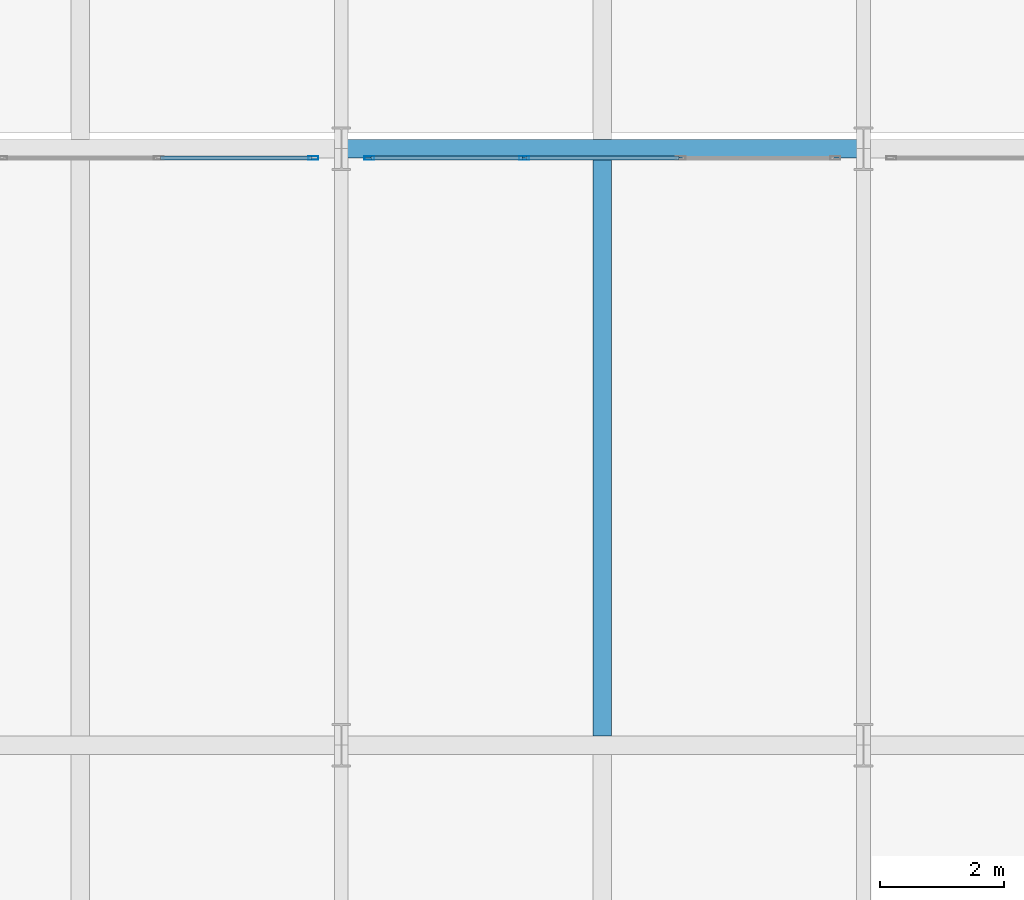
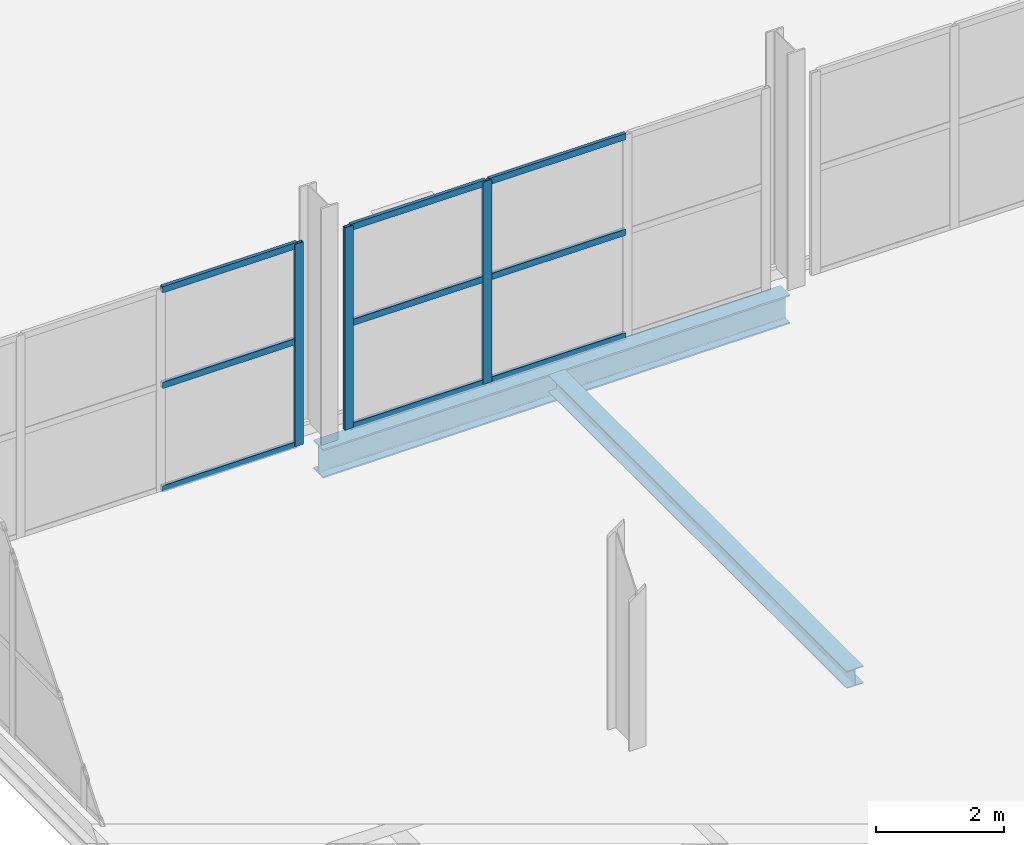
# One storey, part 55 of 113: 12 members, 2 beams, 2 elements without a shape of their own.
"""IFC4 building model written with IfcOpenShell, lengths in metres."""

from ifc_helpers import new_model, si_unit, direction, frame, origin, origin_2d, place, context, subcontext, project, spatial, hollow_rectangle, i_section, extrude, material, material_profile, profile_set, type_object, element, aggregate, save


model = new_model("IFC4")

# Units and contexts
model_context = context("Model", 3, precision=1e-05, world=origin(), true_north=direction((0.0, 1.0)))
body_context = subcontext(model_context, "Body", "Model", "MODEL_VIEW")
ifc_project = project(units=[si_unit("LENGTHUNIT", "METRE"), si_unit("AREAUNIT", "SQUARE_METRE"), si_unit("VOLUMEUNIT", "CUBIC_METRE"), si_unit("PLANEANGLEUNIT", "RADIAN"), si_unit("MASSUNIT", "GRAM", prefix="KILO")], contexts=[model_context])

# Site, building, storey
site_placement = place(None, origin())
site = spatial("IfcSite", under=ifc_project, at=site_placement, CompositionType="ELEMENT")
building_placement = place(site_placement, origin())
building = spatial("IfcBuilding", under=site, at=building_placement, Name="Veltarok Museum of Natural Sciences", CompositionType="ELEMENT")
storey_placement = place(building_placement, frame((0.0, 0.0, 8.39990234375)))
storey = spatial("IfcBuildingStorey", under=building, at=storey_placement, Name="L01", CompositionType="ELEMENT", Elevation=8.39990234375)

# Curtain wall, members
ifc_material_1 = material(Name="Low-iron triple insulated glass", Category="glass")
curtain_wall_type_1 = type_object("IfcCurtainWallType", Name="Curtain Wall System CW-V2NP-L01-7-756x385 (North Pavilion L01 7-8 756x385cm)", PredefinedType="NOTDEFINED", material=ifc_material_1)
curtain_wall_1_placement = place(storey_placement, origin())
curtain_wall_1 = element("IfcCurtainWall", 1, at=curtain_wall_1_placement, inside=storey, type_object=curtain_wall_type_1, Name="Curtain Wall CW-V2NP-L01-7-756x385 CW-0069", PredefinedType="NOTDEFINED")
ifc_material_2 = material(Name="Thermally broken anodised aluminium", Category="aluminium")
ifc_material_profile_1 = material_profile(ifc_material_2, hollow_rectangle(XDim=0.06005859375, YDim=0.1201171875, WallThickness=0.0048828125, at=origin_2d()), Name="CW TRANSOM 60x120x5")
ifc_profile_set_1 = profile_set([ifc_material_profile_1], Name="Thermally broken anodised aluminium")
member_type_1 = type_object("IfcMemberType", Name="Curtain Wall Horizontal Transom 60x120x5", PredefinedType="USERDEFINED", material=ifc_profile_set_1)
member_1_placement = place(storey_placement, frame((64.719970703125, 91.050048828125, 0.030029296875), z_axis=(-1.0, 0.0, 0.0), x_axis=(0.0, -1.0, 0.0)))
member_1 = element("IfcMember", 2, at=member_1_placement, type_object=member_type_1, Name="CW-V2NP-L01-7-756x385 transom 1.1", ObjectType="TRANSOM", PredefinedType="USERDEFINED", context=body_context, shape_type="SweptSolid", body=[
    extrude(hollow_rectangle(XDim=0.06005859375, YDim=0.1201171875, WallThickness=0.0048828125, at=origin_2d()), origin(), (0.0, 0.0, 1.0), 2.429931640625),
])
member_2_placement = place(storey_placement, frame((64.719970703125, 91.050048828125, 2.0), z_axis=(-1.0, 0.0, 0.0), x_axis=(0.0, -1.0, 0.0)))
member_2 = element("IfcMember", 3, at=member_2_placement, type_object=member_type_1, Name="CW-V2NP-L01-7-756x385 transom 1.2", ObjectType="TRANSOM", PredefinedType="USERDEFINED", context=body_context, shape_type="SweptSolid", body=[
    extrude(hollow_rectangle(XDim=0.06005859375, YDim=0.1201171875, WallThickness=0.0048828125, at=origin_2d()), origin(), (0.0, 0.0, 1.0), 2.429931640625),
])
member_3_placement = place(storey_placement, frame((64.719970703125, 91.050048828125, 3.820068359375), z_axis=(-1.0, 0.0, 0.0), x_axis=(0.0, -1.0, 0.0)))
member_3 = element("IfcMember", 4, at=member_3_placement, type_object=member_type_1, Name="CW-V2NP-L01-7-756x385 transom 1.3", ObjectType="TRANSOM", PredefinedType="USERDEFINED", context=body_context, shape_type="SweptSolid", body=[
    extrude(hollow_rectangle(XDim=0.06005859375, YDim=0.1201171875, WallThickness=0.0048828125, at=origin_2d()), origin(), (0.0, 0.0, 1.0), 2.429931640625),
])

curtain_wall_type_2 = type_object("IfcCurtainWallType", Name="Curtain Wall System CW-V2NP-L01-8-756x385 (North Pavilion L01 8-9 756x385cm)", PredefinedType="NOTDEFINED", material=ifc_material_1)
curtain_wall_2_placement = place(storey_placement, origin())
curtain_wall_2 = element("IfcCurtainWall", 5, at=curtain_wall_2_placement, inside=storey, type_object=curtain_wall_type_2, Name="Curtain Wall CW-V2NP-L01-8-756x385 CW-0070", PredefinedType="NOTDEFINED")
member_4_placement = place(storey_placement, frame((70.6298828125, 91.050048828125, 0.030029296875), z_axis=(-1.0, 0.0, 0.0), x_axis=(0.0, -1.0, 0.0)))
member_4 = element("IfcMember", 6, at=member_4_placement, type_object=member_type_1, Name="CW-V2NP-L01-8-756x385 transom 2.1", ObjectType="TRANSOM", PredefinedType="USERDEFINED", context=body_context, shape_type="SweptSolid", body=[
    extrude(hollow_rectangle(XDim=0.06005859375, YDim=0.1201171875, WallThickness=0.0048828125, at=origin_2d()), origin(), (0.0, 0.0, 1.0), 2.4599609375),
])
member_5_placement = place(storey_placement, frame((70.6298828125, 91.050048828125, 2.0), z_axis=(-1.0, 0.0, 0.0), x_axis=(0.0, -1.0, 0.0)))
member_5 = element("IfcMember", 7, at=member_5_placement, type_object=member_type_1, Name="CW-V2NP-L01-8-756x385 transom 2.2", ObjectType="TRANSOM", PredefinedType="USERDEFINED", context=body_context, shape_type="SweptSolid", body=[
    extrude(hollow_rectangle(XDim=0.06005859375, YDim=0.1201171875, WallThickness=0.0048828125, at=origin_2d()), origin(), (0.0, 0.0, 1.0), 2.4599609375),
])
member_6_placement = place(storey_placement, frame((70.6298828125, 91.050048828125, 3.820068359375), z_axis=(-1.0, 0.0, 0.0), x_axis=(0.0, -1.0, 0.0)))
member_6 = element("IfcMember", 8, at=member_6_placement, type_object=member_type_1, Name="CW-V2NP-L01-8-756x385 transom 2.3", ObjectType="TRANSOM", PredefinedType="USERDEFINED", context=body_context, shape_type="SweptSolid", body=[
    extrude(hollow_rectangle(XDim=0.06005859375, YDim=0.1201171875, WallThickness=0.0048828125, at=origin_2d()), origin(), (0.0, 0.0, 1.0), 2.4599609375),
])
member_7_placement = place(storey_placement, frame((68.110107421875, 91.050048828125, 0.030029296875), z_axis=(-1.0, 0.0, 0.0), x_axis=(0.0, -1.0, 0.0)))
member_7 = element("IfcMember", 9, at=member_7_placement, type_object=member_type_1, Name="CW-V2NP-L01-8-756x385 transom 3.1", ObjectType="TRANSOM", PredefinedType="USERDEFINED", context=body_context, shape_type="SweptSolid", body=[
    extrude(hollow_rectangle(XDim=0.06005859375, YDim=0.1201171875, WallThickness=0.0048828125, at=origin_2d()), origin(), (0.0, 0.0, 1.0), 2.43017578125),
])
member_8_placement = place(storey_placement, frame((68.110107421875, 91.050048828125, 2.0), z_axis=(-1.0, 0.0, 0.0), x_axis=(0.0, -1.0, 0.0)))
member_8 = element("IfcMember", 10, at=member_8_placement, type_object=member_type_1, Name="CW-V2NP-L01-8-756x385 transom 3.2", ObjectType="TRANSOM", PredefinedType="USERDEFINED", context=body_context, shape_type="SweptSolid", body=[
    extrude(hollow_rectangle(XDim=0.06005859375, YDim=0.1201171875, WallThickness=0.0048828125, at=origin_2d()), origin(), (0.0, 0.0, 1.0), 2.43017578125),
])
member_9_placement = place(storey_placement, frame((68.110107421875, 91.050048828125, 3.820068359375), z_axis=(-1.0, 0.0, 0.0), x_axis=(0.0, -1.0, 0.0)))
member_9 = element("IfcMember", 11, at=member_9_placement, type_object=member_type_1, Name="CW-V2NP-L01-8-756x385 transom 3.3", ObjectType="TRANSOM", PredefinedType="USERDEFINED", context=body_context, shape_type="SweptSolid", body=[
    extrude(hollow_rectangle(XDim=0.06005859375, YDim=0.1201171875, WallThickness=0.0048828125, at=origin_2d()), origin(), (0.0, 0.0, 1.0), 2.43017578125),
])

# Member
ifc_material_profile_2 = material_profile(ifc_material_2, hollow_rectangle(XDim=0.06005859375, YDim=0.159912109375, WallThickness=0.0048828125, at=origin_2d()), Name="CW MULLION 60x160x5")
ifc_profile_set_2 = profile_set([ifc_material_profile_2], Name="Thermally broken anodised aluminium")
member_type_2 = type_object("IfcMemberType", Name="Curtain Wall Vertical Mullion 60x160x5", PredefinedType="MULLION", material=ifc_profile_set_2)
member_10_placement = place(storey_placement, frame((64.75, 91.050048828125, 0.0), z_axis=(0.0, 0.0, 1.0), x_axis=(0.0, -1.0, 0.0)))
member_10 = element("IfcMember", 12, at=member_10_placement, type_object=member_type_2, Name="CW-V2NP-L01-7-756x385 mullion 1", PredefinedType="MULLION", context=body_context, shape_type="SweptSolid", body=[
    extrude(hollow_rectangle(XDim=0.06005859375, YDim=0.159912109375, WallThickness=0.0048828125, at=origin_2d()), origin(), (0.0, 0.0, 1.0), 3.85009765625),
])

aggregate(curtain_wall_1, [member_10, member_1, member_2, member_3])

member_11_placement = place(storey_placement, frame((68.139892578125, 91.050048828125, 0.0), z_axis=(0.0, 0.0, 1.0), x_axis=(0.0, -1.0, 0.0)))
member_11 = element("IfcMember", 13, at=member_11_placement, type_object=member_type_2, Name="CW-V2NP-L01-8-756x385 mullion 3", PredefinedType="MULLION", context=body_context, shape_type="SweptSolid", body=[
    extrude(hollow_rectangle(XDim=0.06005859375, YDim=0.159912109375, WallThickness=0.0048828125, at=origin_2d()), origin(), (0.0, 0.0, 1.0), 3.85009765625),
])

member_12_placement = place(storey_placement, frame((65.64990234375, 91.050048828125, 0.0), z_axis=(0.0, 0.0, 1.0), x_axis=(0.0, -1.0, 0.0)))
member_12 = element("IfcMember", 14, at=member_12_placement, type_object=member_type_2, Name="CW-V2NP-L01-8-756x385 mullion 4", PredefinedType="MULLION", context=body_context, shape_type="SweptSolid", body=[
    extrude(hollow_rectangle(XDim=0.06005859375, YDim=0.159912109375, WallThickness=0.0048828125, at=origin_2d()), origin(), (0.0, 0.0, 1.0), 3.85009765625),
])

aggregate(curtain_wall_2, [member_11, member_12, member_4, member_5, member_6, member_7, member_8, member_9])

# Beams
ifc_material_3 = material(Name="Steel S355J2", Category="steel")
ifc_material_profile_3 = material_profile(ifc_material_3, i_section(OverallWidth=0.300048828125, OverallDepth=0.330078125, WebThickness=0.009521484375, FlangeThickness=0.0166015625, FilletRadius=0.027099609375, at=origin_2d()), Name="HEA 340")
ifc_profile_set_3 = profile_set([ifc_material_profile_3], Name="Steel S355J2")
beam_type_1 = type_object("IfcBeamType", Name="Exhibition Floor Joist HEA 340", PredefinedType="JOIST", material=ifc_profile_set_3)
beam_1_placement = place(storey_placement, frame((69.39990234375, 81.748046875, -0.414794921875), z_axis=(0.0, 1.0, 0.0), x_axis=(-1.0, 0.0, 0.0)))
element("IfcBeam", 15, at=beam_1_placement, inside=storey, type_object=beam_type_1, Name="Secondary Joist BM-J08 L01 8-9/J-K.1", PredefinedType="JOIST", context=body_context, shape_type="SweptSolid", body=[
    extrude(i_section(OverallWidth=0.300048828125, OverallDepth=0.330078125, WebThickness=0.009521484375, FlangeThickness=0.0166015625, FilletRadius=0.027099609375, at=origin_2d()), origin(), (0.0, 0.0, 1.0), 9.303955078125),
])
ifc_material_profile_4 = material_profile(ifc_material_3, i_section(OverallWidth=0.300048828125, OverallDepth=0.550048828125, WebThickness=0.014892578125, FlangeThickness=0.029052734375, FilletRadius=0.027099609375, at=origin_2d()), Name="HEB 550")
ifc_profile_set_4 = profile_set([ifc_material_profile_4], Name="Steel S355J2")
beam_type_2 = type_object("IfcBeamType", Name="Gallery Girder HEB 550", PredefinedType="BEAM", material=ifc_profile_set_4)
beam_2_placement = place(storey_placement, frame((65.199951171875, 91.199951171875, -0.52490234375), z_axis=(1.0, 0.0, 0.0), x_axis=(0.0, 1.0, 0.0)))
element("IfcBeam", 16, at=beam_2_placement, inside=storey, type_object=beam_type_2, Name="Beam BM-G10 L01 8-9/K", PredefinedType="BEAM", context=body_context, shape_type="SweptSolid", body=[
    extrude(i_section(OverallWidth=0.300048828125, OverallDepth=0.550048828125, WebThickness=0.014892578125, FlangeThickness=0.029052734375, FilletRadius=0.027099609375, at=origin_2d()), origin(), (0.0, 0.0, 1.0), 8.400146484375),
])

save(model, "model.ifc")
